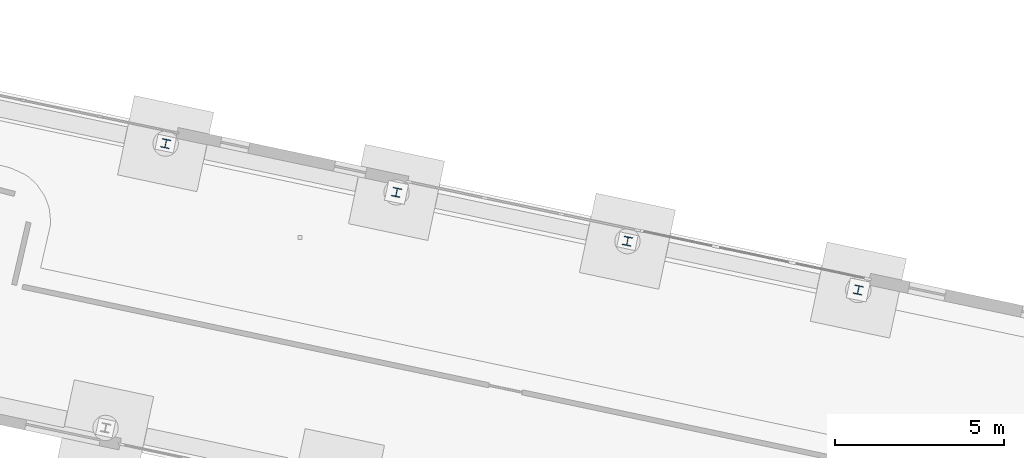
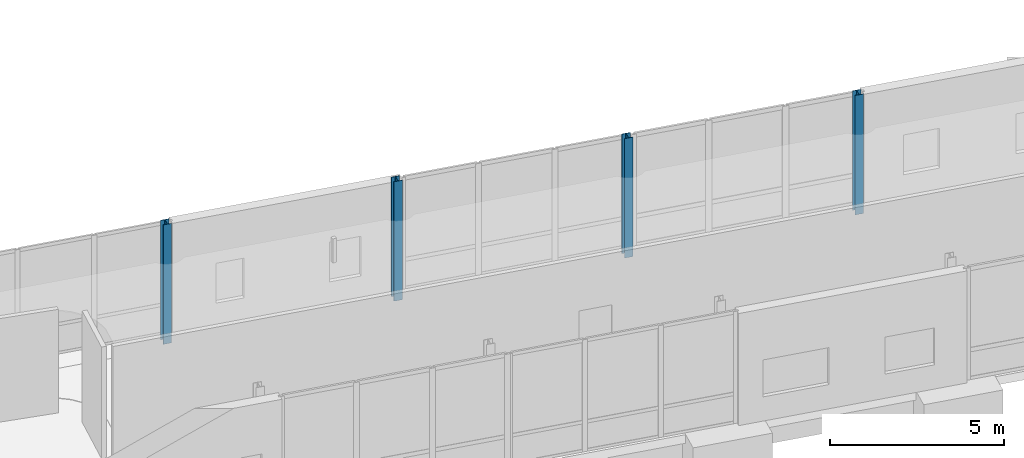
# One storey, part 11 of 113: 4 columns.
"""IFC4 building model written with IfcOpenShell, lengths in metres."""

from ifc_helpers import new_model, si_unit, direction, frame, origin, origin_2d, place, context, subcontext, project, spatial, i_section, extrude, material, material_profile, profile_set, type_object, element, save


model = new_model("IFC4")

# Units and contexts
model_context = context("Model", 3, precision=1e-05, world=origin(), true_north=direction((0.0, 1.0)))
body_context = subcontext(model_context, "Body", "Model", "MODEL_VIEW")
ifc_project = project(units=[si_unit("LENGTHUNIT", "METRE"), si_unit("AREAUNIT", "SQUARE_METRE"), si_unit("VOLUMEUNIT", "CUBIC_METRE"), si_unit("PLANEANGLEUNIT", "RADIAN"), si_unit("MASSUNIT", "GRAM", prefix="KILO")], contexts=[model_context])

# Site, building, storey
site_placement = place(None, origin())
site = spatial("IfcSite", under=ifc_project, at=site_placement, CompositionType="ELEMENT")
building_placement = place(site_placement, origin())
building = spatial("IfcBuilding", under=site, at=building_placement, Name="Wrenclough Park School", CompositionType="ELEMENT")
storey_placement = place(building_placement, origin())
storey = spatial("IfcBuildingStorey", under=building, at=storey_placement, Name="L00", CompositionType="ELEMENT", Elevation=0.0)

# Columns
ifc_material = material(Name="Structural steel S355", Category="steel")
ifc_material_profile = material_profile(ifc_material, i_section(OverallWidth=0.254638671875, OverallDepth=0.254150390625, WebThickness=0.008544921875, FlangeThickness=0.01416015625, FilletRadius=0.0126953125, at=origin_2d()), Name="UKC 254x254x73")
ifc_profile_set = profile_set([ifc_material_profile], Name="Structural steel S355")
column_type = type_object("IfcColumnType", Name="STR-COL-UKC254A", PredefinedType="COLUMN", material=ifc_profile_set)
for number, where, z_axis, x_axis, name in (
    (1, (108.555908203125, 40.818115234375, 0.0), (0.0, 0.0, 1.0), (0.978364788978, -0.206887263232, 0.0), "W12 L00 column W12-C2-L02"),
    (2, (115.389404296875, 39.373779296875, 0.0), (0.0, 0.0, 1.0), (0.978364788978, -0.206887263232, 0.0), "W12 L00 column W12-C2-L03"),
    (3, (122.22265625, 37.92919921875, 0.0), (0.0, 0.0, 1.0), (0.978364788978, -0.206887263232, 0.0), "W12 L00 column W12-C2-L04"),
    (4, (129.055908203125, 36.48486328125, 0.0), (0.0, 0.0, 1.0), (0.978364788978, -0.206887263232, 0.0), "W12 L00 column W12-C2-L05"),
):
    element("IfcColumn", number, at=place(storey_placement, frame(where, z_axis=z_axis, x_axis=x_axis)), inside=storey, type_object=column_type, Name=name, PredefinedType="COLUMN", context=body_context, shape_type="SweptSolid", body=[
        extrude(i_section(OverallWidth=0.254638671875, OverallDepth=0.254150390625, WebThickness=0.008544921875, FlangeThickness=0.01416015625, FilletRadius=0.0126953125, at=origin_2d()), origin(), (0.0, 0.0, 1.0), 4.199951171875),
    ])

save(model, "model.ifc")
